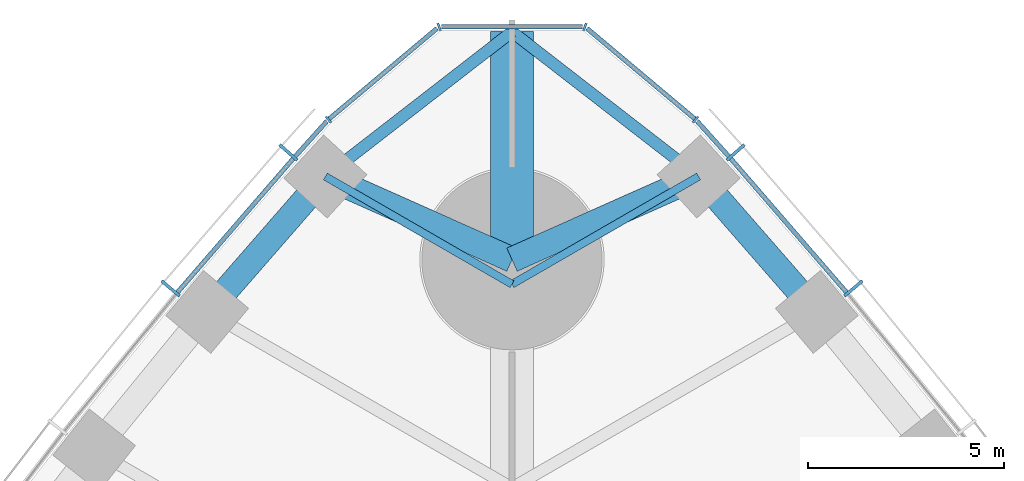
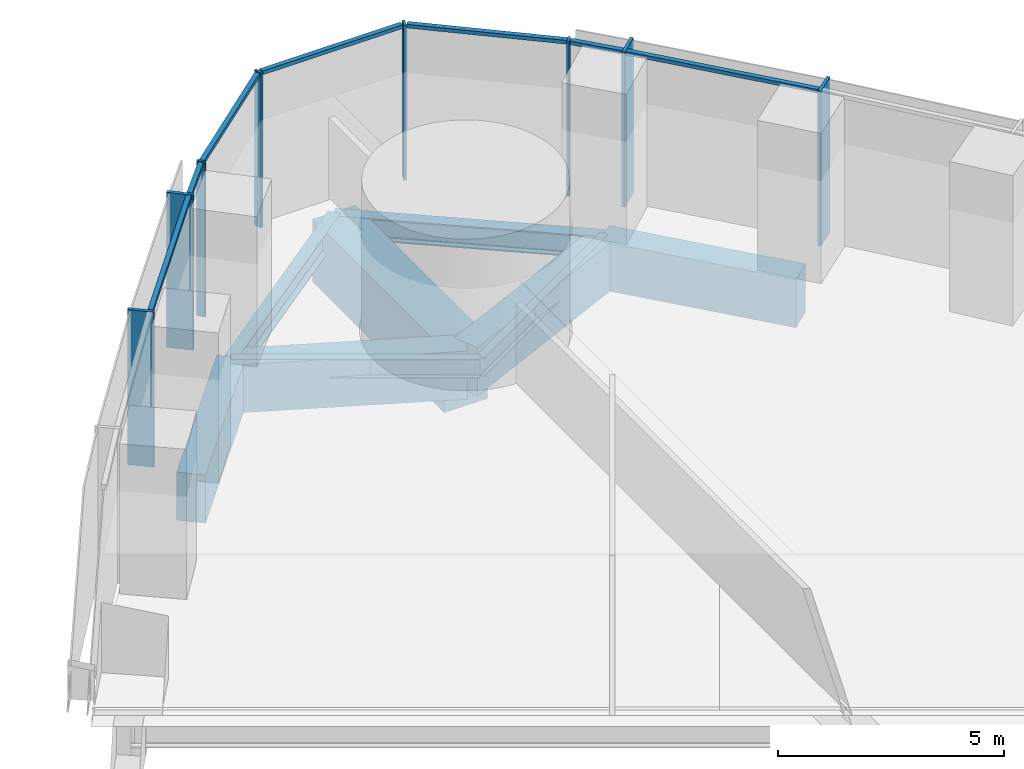
# One storey, part 7 of 18: 15 members, 9 beams, 3 elements without a shape of their own.
"""IFC4 building model written with IfcOpenShell, lengths in metres."""

from ifc_helpers import new_model, si_unit, direction, frame, origin, origin_2d, place, context, subcontext, project, spatial, rectangle, i_section, extrude, material, material_profile, profile_set, type_object, element, aggregate, save


model = new_model("IFC4")

# Units and contexts
model_context = context("Model", 3, precision=1e-05, world=origin(), true_north=direction((0.0, 1.0)))
body_context = subcontext(model_context, "Body", "Model", "MODEL_VIEW")
ifc_project = project(units=[si_unit("LENGTHUNIT", "METRE"), si_unit("AREAUNIT", "SQUARE_METRE"), si_unit("VOLUMEUNIT", "CUBIC_METRE"), si_unit("PLANEANGLEUNIT", "RADIAN"), si_unit("MASSUNIT", "GRAM", prefix="KILO")], contexts=[model_context])

# Site, building, storey
site_placement = place(None, origin())
site = spatial("IfcSite", under=ifc_project, at=site_placement, CompositionType="ELEMENT")
building_placement = place(site_placement, origin())
building = spatial("IfcBuilding", under=site, at=building_placement, Name="Trefoil Bronze Tower", CompositionType="ELEMENT")
storey_placement = place(building_placement, frame((0.0, 0.0, 58.5)))
storey = spatial("IfcBuildingStorey", under=building, at=storey_placement, Name="L13", CompositionType="ELEMENT", Elevation=58.5)

# Curtain wall, members
ifc_material_1 = material(Name="Tinted solar-control glass", Category="glass")
curtain_wall_type_1 = type_object("IfcCurtainWallType", Name="Bronze office curtain wall", PredefinedType="USERDEFINED", material=ifc_material_1)
curtain_wall_1_placement = place(storey_placement, origin())
curtain_wall_1 = element("IfcCurtainWall", 1, at=curtain_wall_1_placement, inside=storey, type_object=curtain_wall_type_1, Name="CW-A L13 F2", ObjectType="CURTAIN WALL", PredefinedType="USERDEFINED")
ifc_material_2 = material(Name="Bronze-finish aluminium", Category="aluminium")
ifc_material_profile_1 = material_profile(ifc_material_2, rectangle(XDim=0.60009765625, YDim=0.080078125, at=origin_2d()), Name="CW-A mullion")
ifc_profile_set_1 = profile_set([ifc_material_profile_1], Name="Bronze-finish aluminium")
member_type_1 = type_object("IfcMemberType", Name="Bronze office curtain wall mullion", PredefinedType="MULLION", material=ifc_profile_set_1)
member_1_placement = place(storey_placement, frame((8.709716796875, 36.265869140625, 0.0), z_axis=(0.0, 0.0, 1.0), x_axis=(-0.765729101889, -0.643163231629, 0.0)))
member_1 = element("IfcMember", 2, at=member_1_placement, type_object=member_type_1, Name="CW-A L13 F2 mullion 15", PredefinedType="MULLION", context=body_context, shape_type="SweptSolid", body=[
    extrude(rectangle(XDim=0.60009765625, YDim=0.080078125, at=origin_2d()), origin(), (0.0, 0.0, 1.0), 4.179931640625),
])
member_2_placement = place(storey_placement, frame((5.70654296875, 39.736328125, 0.0), z_axis=(0.0, 0.0, 1.0), x_axis=(-0.7499405861, -0.661505190698, 0.0)))
member_2 = element("IfcMember", 3, at=member_2_placement, type_object=member_type_1, Name="CW-A L13 F2 mullion 16", PredefinedType="MULLION", context=body_context, shape_type="SweptSolid", body=[
    extrude(rectangle(XDim=0.60009765625, YDim=0.080078125, at=origin_2d()), origin(), (0.0, 0.0, 1.0), 4.179931640625),
])

curtain_wall_2_placement = place(storey_placement, origin())
curtain_wall_2 = element("IfcCurtainWall", 4, at=curtain_wall_2_placement, inside=storey, type_object=curtain_wall_type_1, Name="CW-A L13 F3", ObjectType="CURTAIN WALL", PredefinedType="USERDEFINED")
member_3_placement = place(storey_placement, frame((-5.70654296875, 39.736328125, 0.0), z_axis=(0.0, 0.0, 1.0), x_axis=(0.7499405861, -0.661505190698, 0.0)))
member_3 = element("IfcMember", 5, at=member_3_placement, type_object=member_type_1, Name="CW-A L13 F3 mullion 2", PredefinedType="MULLION", context=body_context, shape_type="SweptSolid", body=[
    extrude(rectangle(XDim=0.60009765625, YDim=0.080078125, at=origin_2d()), origin(), (0.0, 0.0, 1.0), 4.179931640625),
])
member_4_placement = place(storey_placement, frame((-8.709716796875, 36.265869140625, 0.0), z_axis=(0.0, 0.0, 1.0), x_axis=(0.765729101889, -0.643163231629, 0.0)))
member_4 = element("IfcMember", 6, at=member_4_placement, type_object=member_type_1, Name="CW-A L13 F3 mullion 3", PredefinedType="MULLION", context=body_context, shape_type="SweptSolid", body=[
    extrude(rectangle(XDim=0.60009765625, YDim=0.080078125, at=origin_2d()), origin(), (0.0, 0.0, 1.0), 4.179931640625),
])

# Member
ifc_material_3 = material(Name="Bronze-finish aluminium", Category="aluminium")
ifc_material_profile_2 = material_profile(ifc_material_3, rectangle(XDim=0.1201171875, YDim=0.10009765625, at=origin_2d()), Name="CW-A transom")
ifc_profile_set_2 = profile_set([ifc_material_profile_2], Name="Bronze-finish aluminium")
member_type_2 = type_object("IfcMemberType", Name="Bronze office curtain wall transom", PredefinedType="USERDEFINED", material=ifc_profile_set_2)
member_5_placement = place(storey_placement, frame((8.529541015625, 36.16845703125, 4.1298828125), z_axis=(-0.654383303203, 0.75616300656, 0.0), x_axis=(-0.75616300656, -0.654383303203, 0.0)))
member_5 = element("IfcMember", 7, at=member_5_placement, type_object=member_type_2, Name="CW-A L13 F2 transom 15", ObjectType="TRANSOM", PredefinedType="USERDEFINED", context=body_context, shape_type="SweptSolid", body=[
    extrude(rectangle(XDim=0.1201171875, YDim=0.10009765625, at=origin_2d()), origin(), (0.0, 0.0, 1.0), 4.50244140625),
])

member_6_placement = place(storey_placement, frame((5.529052734375, 39.634521484375, 4.1298828125), z_axis=(-0.66858567461, 0.743635122695, 0.0), x_axis=(-0.743635122695, -0.66858567461, 0.0)))
member_6 = element("IfcMember", 8, at=member_6_placement, type_object=member_type_2, Name="CW-A L13 F2 transom 16", ObjectType="TRANSOM", PredefinedType="USERDEFINED", context=body_context, shape_type="SweptSolid", body=[
    extrude(rectangle(XDim=0.1201171875, YDim=0.10009765625, at=origin_2d()), origin(), (0.0, 0.0, 1.0), 1.210205078125),
])

aggregate(curtain_wall_1, [member_1, member_2, member_5, member_6])

member_7_placement = place(storey_placement, frame((-4.719970703125, 40.534423828125, 4.1298828125), z_axis=(-0.66858567461, -0.743635122695, 0.0), x_axis=(0.743635122695, -0.66858567461, 0.0)))
member_7 = element("IfcMember", 9, at=member_7_placement, type_object=member_type_2, Name="CW-A L13 F3 transom 1", ObjectType="TRANSOM", PredefinedType="USERDEFINED", context=body_context, shape_type="SweptSolid", body=[
    extrude(rectangle(XDim=0.1201171875, YDim=0.10009765625, at=origin_2d()), origin(), (0.0, 0.0, 1.0), 1.210205078125),
])

member_8_placement = place(storey_placement, frame((-5.583251953125, 39.572998046875, 4.1298828125), z_axis=(-0.654383303203, -0.75616300656, 0.0), x_axis=(0.75616300656, -0.654383303203, 0.0)))
member_8 = element("IfcMember", 10, at=member_8_placement, type_object=member_type_2, Name="CW-A L13 F3 transom 2", ObjectType="TRANSOM", PredefinedType="USERDEFINED", context=body_context, shape_type="SweptSolid", body=[
    extrude(rectangle(XDim=0.1201171875, YDim=0.10009765625, at=origin_2d()), origin(), (0.0, 0.0, 1.0), 4.50244140625),
])

aggregate(curtain_wall_2, [member_3, member_4, member_7, member_8])

# Curtain wall, members
ifc_material_4 = material(Name="Tinted solar-control glass", Category="glass")
curtain_wall_type_2 = type_object("IfcCurtainWallType", Name="Bronze rounded corner curtain wall", PredefinedType="USERDEFINED", material=ifc_material_4)
curtain_wall_3_placement = place(storey_placement, origin())
curtain_wall_3 = element("IfcCurtainWall", 11, at=curtain_wall_3_placement, inside=storey, type_object=curtain_wall_type_2, Name="CW-B L13 K2", ObjectType="CURTAIN WALL", PredefinedType="USERDEFINED")
ifc_material_5 = material(Name="Bronze-finish aluminium", Category="aluminium")
ifc_material_profile_3 = material_profile(ifc_material_5, rectangle(XDim=0.199951171875, YDim=0.06005859375, at=origin_2d()), Name="CW-B mullion")
ifc_profile_set_3 = profile_set([ifc_material_profile_3], Name="Bronze-finish aluminium")
member_type_3 = type_object("IfcMemberType", Name="Bronze rounded corner curtain wall mullion", PredefinedType="MULLION", material=ifc_profile_set_3)
member_9_placement = place(storey_placement, frame((4.68310546875, 40.573974609375, 0.0), z_axis=(0.0, 0.0, 1.0), x_axis=(-0.642787609687, -0.766044443119, 0.0)))
member_9 = element("IfcMember", 12, at=member_9_placement, type_object=member_type_3, Name="CW-B L13 K2 mullion 1", PredefinedType="MULLION", context=body_context, shape_type="SweptSolid", body=[
    extrude(rectangle(XDim=0.199951171875, YDim=0.06005859375, at=origin_2d()), origin(), (0.0, 0.0, 1.0), 4.179931640625),
])
member_10_placement = place(storey_placement, frame((1.8583984375, 42.9365234375, 0.0), z_axis=(0.0, 0.0, 1.0), x_axis=(-0.342020143326, -0.939692620786, 0.0)))
member_10 = element("IfcMember", 13, at=member_10_placement, type_object=member_type_3, Name="CW-B L13 K2 mullion 2", PredefinedType="MULLION", context=body_context, shape_type="SweptSolid", body=[
    extrude(rectangle(XDim=0.199951171875, YDim=0.06005859375, at=origin_2d()), origin(), (0.0, 0.0, 1.0), 4.179931640625),
])
member_11_placement = place(storey_placement, frame((-1.8583984375, 42.9365234375, 0.0), z_axis=(0.0, 0.0, 1.0), x_axis=(0.342020143326, -0.939692620786, 0.0)))
member_11 = element("IfcMember", 14, at=member_11_placement, type_object=member_type_3, Name="CW-B L13 K2 mullion 3", PredefinedType="MULLION", context=body_context, shape_type="SweptSolid", body=[
    extrude(rectangle(XDim=0.199951171875, YDim=0.06005859375, at=origin_2d()), origin(), (0.0, 0.0, 1.0), 4.179931640625),
])
member_12_placement = place(storey_placement, frame((-4.68310546875, 40.573974609375, 0.0), z_axis=(0.0, 0.0, 1.0), x_axis=(0.642787609687, -0.766044443119, 0.0)))
member_12 = element("IfcMember", 15, at=member_12_placement, type_object=member_type_3, Name="CW-B L13 K2 mullion 4", PredefinedType="MULLION", context=body_context, shape_type="SweptSolid", body=[
    extrude(rectangle(XDim=0.199951171875, YDim=0.06005859375, at=origin_2d()), origin(), (0.0, 0.0, 1.0), 4.179931640625),
])
ifc_material_6 = material(Name="Bronze-finish aluminium", Category="aluminium")
ifc_material_profile_4 = material_profile(ifc_material_6, rectangle(XDim=0.1201171875, YDim=0.10009765625, at=origin_2d()), Name="CW-B transom")
ifc_profile_set_4 = profile_set([ifc_material_profile_4], Name="Bronze-finish aluminium")
member_type_4 = type_object("IfcMemberType", Name="Bronze rounded corner curtain wall transom", PredefinedType="USERDEFINED", material=ifc_profile_set_4)
member_13_placement = place(storey_placement, frame((4.66015625, 40.59326171875, 4.1298828125), z_axis=(-0.766058606238, 0.642770730361, 0.0), x_axis=(-0.642770730361, -0.766058606238, 0.0)))
member_13 = element("IfcMember", 16, at=member_13_placement, type_object=member_type_4, Name="CW-B L13 K2 transom 1", ObjectType="TRANSOM", PredefinedType="USERDEFINED", context=body_context, shape_type="SweptSolid", body=[
    extrude(rectangle(XDim=0.1201171875, YDim=0.10009765625, at=origin_2d()), origin(), (0.0, 0.0, 1.0), 3.588134765625),
])
member_14_placement = place(storey_placement, frame((1.794189453125, 42.9423828125, 4.1298828125), z_axis=(-1.0, 0.0, 0.0), x_axis=(0.0, -1.0, 0.0)))
member_14 = element("IfcMember", 17, at=member_14_placement, type_object=member_type_4, Name="CW-B L13 K2 transom 2", ObjectType="TRANSOM", PredefinedType="USERDEFINED", context=body_context, shape_type="SweptSolid", body=[
    extrude(rectangle(XDim=0.1201171875, YDim=0.10009765625, at=origin_2d()), origin(), (0.0, 0.0, 1.0), 3.58837890625),
])
member_15_placement = place(storey_placement, frame((-1.911376953125, 42.899658203125, 4.1298828125), z_axis=(-0.766058606238, -0.642770730361, 0.0), x_axis=(0.642770730361, -0.766058606238, 0.0)))
member_15 = element("IfcMember", 18, at=member_15_placement, type_object=member_type_4, Name="CW-B L13 K2 transom 3", ObjectType="TRANSOM", PredefinedType="USERDEFINED", context=body_context, shape_type="SweptSolid", body=[
    extrude(rectangle(XDim=0.1201171875, YDim=0.10009765625, at=origin_2d()), origin(), (0.0, 0.0, 1.0), 3.588134765625),
])
aggregate(curtain_wall_3, [member_9, member_10, member_11, member_12, member_13, member_14, member_15])

# Beams
ifc_material_7 = material(Name="Concrete B80", Category="concrete")
ifc_material_profile_5 = material_profile(ifc_material_7, rectangle(XDim=1.10009765625, YDim=1.699951171875, at=origin_2d()), Name="RC 1100x1700")
ifc_profile_set_5 = profile_set([ifc_material_profile_5], Name="Concrete B80")
beam_type_1 = type_object("IfcBeamType", Name="Corner cantilever RC 1100x1700", PredefinedType="BEAM", material=ifc_profile_set_5)
beam_placement = place(storey_placement, frame((0.0, 37.0, -1.050048828125), z_axis=(0.0, 1.0, 0.0), x_axis=(-1.0, 0.0, 0.0)))
element("IfcBeam", 19, at=beam_placement, inside=storey, type_object=beam_type_1, Name="Corner cantilever K2 L13", PredefinedType="BEAM", context=body_context, shape_type="SweptSolid", body=[
    extrude(rectangle(XDim=1.10009765625, YDim=1.699951171875, at=origin_2d()), origin(), (0.0, 0.0, 1.0), 5.814208984375),
])
ifc_material_8 = material(Name="Steel C355", Category="steel")
ifc_material_profile_6 = material_profile(ifc_material_8, i_section(OverallWidth=0.300048828125, OverallDepth=0.60009765625, WebThickness=0.015380859375, FlangeThickness=0.030029296875, FilletRadius=0.027099609375, at=origin_2d()), Name="HEB 600")
ifc_profile_set_6 = profile_set([ifc_material_profile_6], Name="Steel C355")
beam_type_2 = type_object("IfcBeamType", Name="Corner edge beam HEB 600", PredefinedType="BEAM", material=ifc_profile_set_6)
for number, where, z_axis, x_axis, name in (
    (20, (4.76171875, 39.122314453125, -0.5), (-0.790289474622, 0.612733666696, 0.0), (-0.612733666696, -0.790289474622, 0.0), "Corner edge beam F2A L13"),
    (21, (-4.76171875, 39.122314453125, -0.5), (0.790289474622, 0.612733666696, 0.0), (-0.612733666696, 0.790289474622, 0.0), "Corner edge beam F3B L13"),
):
    element("IfcBeam", number, at=place(storey_placement, frame(where, z_axis=z_axis, x_axis=x_axis)), inside=storey, type_object=beam_type_2, Name=name, PredefinedType="BEAM", context=body_context, shape_type="SweptSolid", body=[
        extrude(i_section(OverallWidth=0.300048828125, OverallDepth=0.60009765625, WebThickness=0.015380859375, FlangeThickness=0.030029296875, FilletRadius=0.027099609375, at=origin_2d()), origin(), (0.0, 0.0, 1.0), 6.025390625),
    ])
ifc_material_9 = material(Name="Concrete B80", Category="concrete")
ifc_material_profile_7 = material_profile(ifc_material_9, rectangle(XDim=0.64990234375, YDim=1.300048828125, at=origin_2d()), Name="RC 650x1300")
ifc_profile_set_7 = profile_set([ifc_material_profile_7], Name="Concrete B80")
beam_type_3 = type_object("IfcBeamType", Name="End spandrel beam RC 650x1300", PredefinedType="SPANDREL", material=ifc_profile_set_7)
for number, where, z_axis, x_axis, name in (
    (22, (4.76171875, 39.122314453125, -0.85009765625), (-0.913384257879, -0.407098510754, 0.0), (0.407098510754, -0.913384257879, 0.0), "Spandrel F2.16 L13"),
    (23, (0.0, 37.0, -0.85009765625), (-0.913384257879, 0.407098510754, 0.0), (-0.407098510754, -0.913384257879, 0.0), "Spandrel F3.1 L13"),
):
    element("IfcBeam", number, at=place(storey_placement, frame(where, z_axis=z_axis, x_axis=x_axis)), inside=storey, type_object=beam_type_3, Name=name, PredefinedType="SPANDREL", context=body_context, shape_type="SweptSolid", body=[
        extrude(rectangle(XDim=0.64990234375, YDim=1.300048828125, at=origin_2d()), origin(), (0.0, 0.0, 1.0), 5.21337890625),
    ])
ifc_material_10 = material(Name="Steel C355", Category="steel")
ifc_material_profile_8 = material_profile(ifc_material_10, i_section(OverallWidth=0.199951171875, OverallDepth=0.5, WebThickness=0.01025390625, FlangeThickness=0.01611328125, FilletRadius=0.02099609375, at=origin_2d()), Name="IPE 500")
ifc_profile_set_8 = profile_set([ifc_material_profile_8], Name="Steel C355")
beam_type_4 = type_object("IfcBeamType", Name="Floor beam IPE 500", PredefinedType="BEAM", material=ifc_profile_set_8)
for number, where, z_axis, x_axis, name in (
    (24, (4.76171875, 39.122314453125, -0.449951171875), (-0.866018475376, -0.500012000164, 0.0), (0.500012000164, -0.866018475376, 0.0), "Floor beam F2/+7 L13"),
    (25, (-4.76171875, 39.122314453125, -0.449951171875), (0.866018475376, -0.500012000164, 0.0), (0.500012000164, 0.866018475376, 0.0), "Floor beam F3/-7 L13"),
):
    element("IfcBeam", number, at=place(storey_placement, frame(where, z_axis=z_axis, x_axis=x_axis)), inside=storey, type_object=beam_type_4, Name=name, PredefinedType="BEAM", context=body_context, shape_type="SweptSolid", body=[
        extrude(i_section(OverallWidth=0.199951171875, OverallDepth=0.5, WebThickness=0.01025390625, FlangeThickness=0.01611328125, FilletRadius=0.02099609375, at=origin_2d()), origin(), (0.0, 0.0, 1.0), 5.498291015625),
    ])
ifc_material_11 = material(Name="Concrete B80", Category="concrete")
ifc_material_profile_9 = material_profile(ifc_material_11, rectangle(XDim=0.64990234375, YDim=1.300048828125, at=origin_2d()), Name="RC 650x1300")
ifc_profile_set_9 = profile_set([ifc_material_profile_9], Name="Concrete B80")
beam_type_5 = type_object("IfcBeamType", Name="Spandrel beam RC 650x1300", PredefinedType="SPANDREL", material=ifc_profile_set_9)
for number, where, z_axis, x_axis, name in (
    (26, (7.7763671875, 35.666748046875, -0.85009765625), (-0.657395767989, 0.753545489158, 0.0), (-0.753545489158, -0.657395767989, 0.0), "Spandrel F2.15 L13"),
    (27, (-4.76171875, 39.122314453125, -0.85009765625), (-0.657395767989, -0.753545489158, 0.0), (0.753545489158, -0.657395767989, 0.0), "Spandrel F3.2 L13"),
):
    element("IfcBeam", number, at=place(storey_placement, frame(where, z_axis=z_axis, x_axis=x_axis)), inside=storey, type_object=beam_type_5, Name=name, PredefinedType="SPANDREL", context=body_context, shape_type="SweptSolid", body=[
        extrude(rectangle(XDim=0.64990234375, YDim=1.300048828125, at=origin_2d()), origin(), (0.0, 0.0, 1.0), 4.585693359375),
    ])

save(model, "model.ifc")
